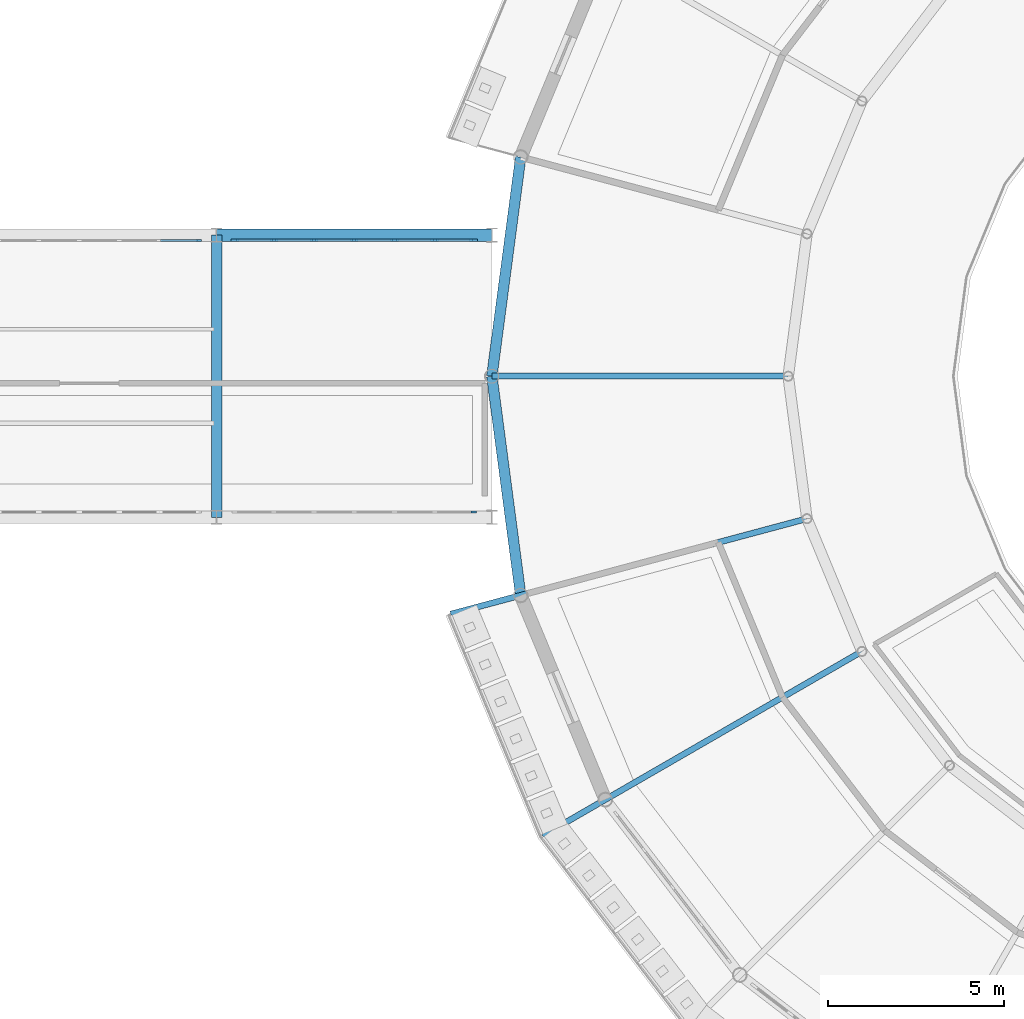
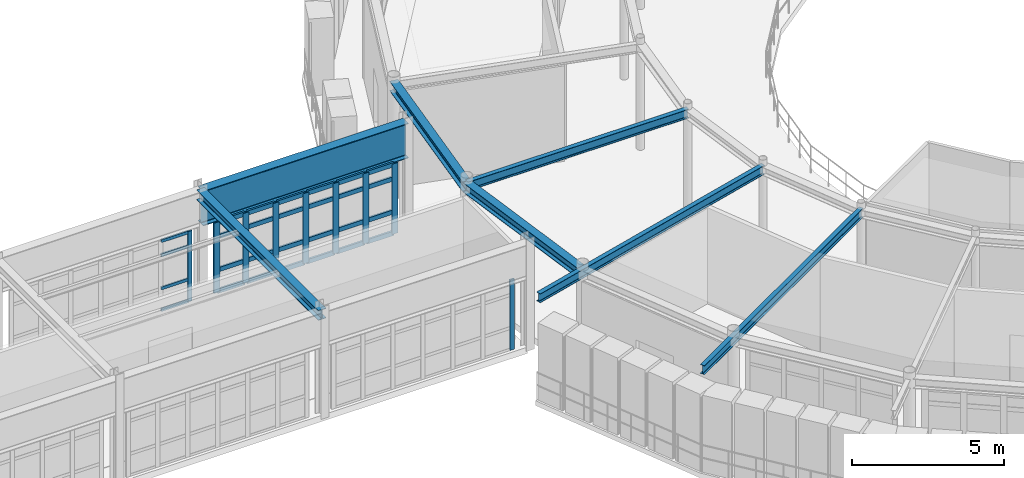
# One storey, part 34 of 106: 37 members, 7 beams, 3 elements without a shape of their own.
"""IFC4 building model written with IfcOpenShell, lengths in metres."""

from ifc_helpers import new_model, si_unit, derived_unit, direction, frame, origin, origin_2d, place, context, subcontext, project, spatial, rectangle, i_section, extrude, material, layer, layer_set, material_profile, profile_set, type_object, element, aggregate, save


model = new_model("IFC4")

# Units and contexts
model_context = context("Model", 3, precision=1e-05, world=origin(), true_north=direction((0.0, 1.0)))
body_context = subcontext(model_context, "Body", "Model", "MODEL_VIEW")
ifc_project = project(units=[si_unit("LENGTHUNIT", "METRE"), si_unit("AREAUNIT", "SQUARE_METRE"), si_unit("VOLUMEUNIT", "CUBIC_METRE"), si_unit("PLANEANGLEUNIT", "RADIAN"), si_unit("MASSUNIT", "GRAM", prefix="KILO"), derived_unit("THERMALTRANSMITTANCEUNIT", [(si_unit("POWERUNIT", "WATT"), 1), (si_unit("AREAUNIT", "SQUARE_METRE"), -1), (si_unit("THERMODYNAMICTEMPERATUREUNIT", "KELVIN"), -1)])], contexts=[model_context])

# Site, building, storey
site_placement = place(None, origin())
site = spatial("IfcSite", under=ifc_project, at=site_placement, CompositionType="ELEMENT")
building_placement = place(site_placement, origin())
building = spatial("IfcBuilding", under=site, at=building_placement, Name="Yasenodar Specialist Clinic", CompositionType="ELEMENT")
storey_placement = place(building_placement, frame((0.0, 0.0, 4.5)))
storey = spatial("IfcBuildingStorey", under=building, at=storey_placement, Name="L01", CompositionType="ELEMENT", Elevation=4.5)

# Beams
ifc_material_1 = material(Name="Steel S355", Category="steel")
ifc_material_profile_1 = material_profile(ifc_material_1, i_section(OverallWidth=0.300048828125, OverallDepth=0.389892578125, WebThickness=0.010986328125, FlangeThickness=0.01904296875, FilletRadius=0.027099609375, at=origin_2d()), Name="HEA 400")
ifc_profile_set_1 = profile_set([ifc_material_profile_1], Name="Steel S355")
beam_type_1 = type_object("IfcBeamType", Name="BM-HEA400", PredefinedType="BEAM", material=ifc_profile_set_1)
for number, where, z_axis, x_axis, name in (
    (1, (57.81787109375, 65.01171875, 4.054931640625), (-0.130540192224, -0.991443018138, 0.0), (0.991443018138, -0.130540192224, 0.0), "L01 Drum V1 Perimeter Ring Beam"),
    (2, (57.0, 58.800048828125, 4.054931640625), (0.130540192224, -0.991443018138, 0.0), (0.991443018138, 0.130540192224, 0.0), "L01 Drum V1 Perimeter Ring Beam"),
):
    element("IfcBeam", number, at=place(storey_placement, frame(where, z_axis=z_axis, x_axis=x_axis)), inside=storey, type_object=beam_type_1, Name=name, PredefinedType="BEAM", context=body_context, shape_type="SweptSolid", body=[
        extrude(i_section(OverallWidth=0.300048828125, OverallDepth=0.389892578125, WebThickness=0.010986328125, FlangeThickness=0.01904296875, FilletRadius=0.027099609375, at=origin_2d()), origin(), (0.0, 0.0, 1.0), 6.265380859375),
    ])
ifc_material_profile_2 = material_profile(ifc_material_1, i_section(OverallWidth=0.300048828125, OverallDepth=0.39990234375, WebThickness=0.013427734375, FlangeThickness=0.02392578125, FilletRadius=0.027099609375, at=origin_2d()), Name="HEB 400")
ifc_profile_set_2 = profile_set([ifc_material_profile_2], Name="Steel S355")
beam_type_2 = type_object("IfcBeamType", Name="BM-HEB400", PredefinedType="BEAM", material=ifc_profile_set_2)
beam_1_placement = place(storey_placement, frame((49.199951171875, 54.800048828125, 4.050048828125), z_axis=(0.0, 1.0, 0.0), x_axis=(-1.0, 0.0, 0.0)))
element("IfcBeam", 3, at=beam_1_placement, inside=storey, type_object=beam_type_2, Name="L01 Primary N-S Girder", PredefinedType="BEAM", context=body_context, shape_type="SweptSolid", body=[
    extrude(i_section(OverallWidth=0.300048828125, OverallDepth=0.39990234375, WebThickness=0.013427734375, FlangeThickness=0.02392578125, FilletRadius=0.027099609375, at=origin_2d()), origin(), (0.0, 0.0, 1.0), 8.0),
])
ifc_material_profile_3 = material_profile(ifc_material_1, i_section(OverallWidth=0.169921875, OverallDepth=0.360107421875, WebThickness=0.008056640625, FlangeThickness=0.0126953125, FilletRadius=0.01806640625, at=origin_2d()), Name="IPE 360")
ifc_profile_set_3 = profile_set([ifc_material_profile_3], Name="Steel S355")
beam_type_3 = type_object("IfcBeamType", Name="BM-IPE360", PredefinedType="BEAM", material=ifc_profile_set_3)
beam_2_placement = place(storey_placement, frame((65.39990234375, 58.800048828125, 4.070068359375), z_axis=(-1.0, 0.0, 0.0), x_axis=(0.0, -1.0, 0.0)))
element("IfcBeam", 4, at=beam_2_placement, inside=storey, type_object=beam_type_3, Name="L01 Drum V1 Radial Beam", PredefinedType="BEAM", context=body_context, shape_type="SweptSolid", body=[
    extrude(i_section(OverallWidth=0.169921875, OverallDepth=0.360107421875, WebThickness=0.008056640625, FlangeThickness=0.0126953125, FilletRadius=0.01806640625, at=origin_2d()), origin(), (0.0, 0.0, 1.0), 8.39990234375),
])
beam_3_placement = place(storey_placement, frame((65.931640625, 54.762451171875, 4.070068359375), z_axis=(-0.965927925162, -0.258811211874, 0.0), x_axis=(0.258811211874, -0.965927925162, 0.0)))
element("IfcBeam", 5, at=beam_3_placement, inside=storey, type_object=beam_type_3, Name="L01 Drum V1 Radial Back-Spanned Cantilever Beam", PredefinedType="BEAM", context=body_context, shape_type="SweptSolid", body=[
    extrude(i_section(OverallWidth=0.169921875, OverallDepth=0.360107421875, WebThickness=0.008056640625, FlangeThickness=0.0126953125, FilletRadius=0.01806640625, at=origin_2d()), origin(), (0.0, 0.0, 1.0), 10.449951171875),
])
beam_4_placement = place(storey_placement, frame((67.489990234375, 51.0, 4.070068359375), z_axis=(-0.86602335148, -0.500003554679, 0.0), x_axis=(0.500003554679, -0.86602335148, 0.0)))
element("IfcBeam", 6, at=beam_4_placement, inside=storey, type_object=beam_type_3, Name="L01 Drum V1 Radial Back-Spanned Cantilever Beam", PredefinedType="BEAM", context=body_context, shape_type="SweptSolid", body=[
    extrude(i_section(OverallWidth=0.169921875, OverallDepth=0.360107421875, WebThickness=0.008056640625, FlangeThickness=0.0126953125, FilletRadius=0.01806640625, at=origin_2d()), origin(), (0.0, 0.0, 1.0), 10.4501953125),
])
ifc_material_profile_4 = material_profile(ifc_material_1, i_section(OverallWidth=0.35009765625, OverallDepth=1.39990234375, WebThickness=0.01611328125, FlangeThickness=0.028076171875, FilletRadius=0.02392578125, at=origin_2d()), Name="PG 1400x350")
ifc_profile_set_4 = profile_set([ifc_material_profile_4], Name="Steel S355")
beam_type_4 = type_object("IfcBeamType", Name="BM-PG-1400", PredefinedType="BEAM", material=ifc_profile_set_4)
beam_5_placement = place(storey_placement, frame((49.199951171875, 62.800048828125, 3.550048828125), z_axis=(1.0, 0.0, 0.0), x_axis=(0.0, 1.0, 0.0)))
element("IfcBeam", 7, at=beam_5_placement, inside=storey, type_object=beam_type_4, Name="L01 Light Bridge Plate Girder", PredefinedType="BEAM", context=body_context, shape_type="SweptSolid", body=[
    extrude(i_section(OverallWidth=0.35009765625, OverallDepth=1.39990234375, WebThickness=0.01611328125, FlangeThickness=0.028076171875, FilletRadius=0.02392578125, at=origin_2d()), origin(), (0.0, 0.0, 1.0), 7.800048828125),
])

# Curtain wall, member
ifc_material_2 = material(Name="Bronze Anodized Aluminium and Triple Low-E Glass", Category="aluminium")
ifc_layer = layer(ifc_material_2, 0.19091796875)
ifc_layer_set = layer_set([ifc_layer], Name="Bronze Anodized Aluminium and Triple Low-E Glass")
curtain_wall_type = type_object("IfcCurtainWallType", Name="CW-SYS-03", PredefinedType="USERDEFINED", material=ifc_layer_set)
curtain_wall_1_placement = place(storey_placement, origin())
curtain_wall_1 = element("IfcCurtainWall", 8, at=curtain_wall_1_placement, inside=storey, type_object=curtain_wall_type, Name="L01 Unitised Curtain Wall 103", ObjectType="UNITISED CURTAIN WALL", PredefinedType="USERDEFINED")
ifc_material_3 = material(Name="Bronze Anodized Aluminium", Category="aluminium")
ifc_material_profile_5 = material_profile(ifc_material_3, rectangle(XDim=0.06005859375, YDim=0.159912109375, at=origin_2d()), Name="CW-MULL 60x160")
ifc_profile_set_5 = profile_set([ifc_material_profile_5], Name="Bronze Anodized Aluminium")
member_type_1 = type_object("IfcMemberType", Name="CW-MULL-160", PredefinedType="MULLION", material=ifc_profile_set_5)
member_1_placement = place(storey_placement, frame((48.68994140625, 62.64990234375, 0.0), z_axis=(0.0, 0.0, 1.0), x_axis=(0.0, 1.0, 0.0)))
member_1 = element("IfcMember", 9, at=member_1_placement, type_object=member_type_1, Name="CW-03 mullion 7", PredefinedType="MULLION", context=body_context, shape_type="SweptSolid", body=[
    extrude(rectangle(XDim=0.06005859375, YDim=0.159912109375, at=origin_2d()), origin(), (0.0, 0.0, 1.0), 2.827880859375),
])

curtain_wall_2_placement = place(storey_placement, origin())
curtain_wall_2 = element("IfcCurtainWall", 10, at=curtain_wall_2_placement, inside=storey, type_object=curtain_wall_type, Name="L01 Unitised Curtain Wall 106", ObjectType="UNITISED CURTAIN WALL", PredefinedType="USERDEFINED")
member_2_placement = place(storey_placement, frame((56.489990234375, 54.949951171875, 0.0), z_axis=(0.0, 0.0, 1.0), x_axis=(0.0, -1.0, 0.0)))
member_2 = element("IfcMember", 11, at=member_2_placement, type_object=member_type_1, Name="CW-03 mullion 1", PredefinedType="MULLION", context=body_context, shape_type="SweptSolid", body=[
    extrude(rectangle(XDim=0.06005859375, YDim=0.159912109375, at=origin_2d()), origin(), (0.0, 0.0, 1.0), 2.827880859375),
])
aggregate(curtain_wall_2, [member_2])

# Curtain wall, members
curtain_wall_3_placement = place(storey_placement, origin())
curtain_wall_3 = element("IfcCurtainWall", 12, at=curtain_wall_3_placement, inside=storey, type_object=curtain_wall_type, Name="L01 Unitised Curtain Wall 105", ObjectType="UNITISED CURTAIN WALL", PredefinedType="USERDEFINED")
ifc_material_profile_6 = material_profile(ifc_material_3, rectangle(XDim=0.074951171875, YDim=0.22509765625, at=origin_2d()), Name="CW-MULL 75x225")
ifc_profile_set_6 = profile_set([ifc_material_profile_6], Name="Bronze Anodized Aluminium")
member_type_2 = type_object("IfcMemberType", Name="CW-MULL-225", PredefinedType="MULLION", material=ifc_profile_set_6)
member_3_placement = place(storey_placement, frame((49.717529296875, 62.64990234375, 0.0), z_axis=(0.0, 0.0, 1.0), x_axis=(0.0, 1.0, 0.0)))
member_3 = element("IfcMember", 13, at=member_3_placement, type_object=member_type_2, Name="CW-03 mullion 1", PredefinedType="MULLION", context=body_context, shape_type="SweptSolid", body=[
    extrude(rectangle(XDim=0.074951171875, YDim=0.22509765625, at=origin_2d()), origin(), (0.0, 0.0, 1.0), 2.827880859375),
])
member_4_placement = place(storey_placement, frame((50.820068359375, 62.64990234375, 0.0), z_axis=(0.0, 0.0, 1.0), x_axis=(0.0, 1.0, 0.0)))
member_4 = element("IfcMember", 14, at=member_4_placement, type_object=member_type_2, Name="CW-03 mullion 2", PredefinedType="MULLION", context=body_context, shape_type="SweptSolid", body=[
    extrude(rectangle(XDim=0.074951171875, YDim=0.22509765625, at=origin_2d()), origin(), (0.0, 0.0, 1.0), 2.827880859375),
])
member_5_placement = place(storey_placement, frame((51.9599609375, 62.64990234375, 0.0), z_axis=(0.0, 0.0, 1.0), x_axis=(0.0, 1.0, 0.0)))
member_5 = element("IfcMember", 15, at=member_5_placement, type_object=member_type_2, Name="CW-03 mullion 3", PredefinedType="MULLION", context=body_context, shape_type="SweptSolid", body=[
    extrude(rectangle(XDim=0.074951171875, YDim=0.22509765625, at=origin_2d()), origin(), (0.0, 0.0, 1.0), 2.827880859375),
])
member_6_placement = place(storey_placement, frame((53.10009765625, 62.64990234375, 0.0), z_axis=(0.0, 0.0, 1.0), x_axis=(0.0, 1.0, 0.0)))
member_6 = element("IfcMember", 16, at=member_6_placement, type_object=member_type_2, Name="CW-03 mullion 4", PredefinedType="MULLION", context=body_context, shape_type="SweptSolid", body=[
    extrude(rectangle(XDim=0.074951171875, YDim=0.22509765625, at=origin_2d()), origin(), (0.0, 0.0, 1.0), 2.827880859375),
])
member_7_placement = place(storey_placement, frame((54.239990234375, 62.64990234375, 0.0), z_axis=(0.0, 0.0, 1.0), x_axis=(0.0, 1.0, 0.0)))
member_7 = element("IfcMember", 17, at=member_7_placement, type_object=member_type_2, Name="CW-03 mullion 5", PredefinedType="MULLION", context=body_context, shape_type="SweptSolid", body=[
    extrude(rectangle(XDim=0.074951171875, YDim=0.22509765625, at=origin_2d()), origin(), (0.0, 0.0, 1.0), 2.827880859375),
])
member_8_placement = place(storey_placement, frame((55.3798828125, 62.64990234375, 0.0), z_axis=(0.0, 0.0, 1.0), x_axis=(0.0, 1.0, 0.0)))
member_8 = element("IfcMember", 18, at=member_8_placement, type_object=member_type_2, Name="CW-03 mullion 6", PredefinedType="MULLION", context=body_context, shape_type="SweptSolid", body=[
    extrude(rectangle(XDim=0.074951171875, YDim=0.22509765625, at=origin_2d()), origin(), (0.0, 0.0, 1.0), 2.827880859375),
])
member_9_placement = place(storey_placement, frame((56.482421875, 62.64990234375, 0.0), z_axis=(0.0, 0.0, 1.0), x_axis=(0.0, 1.0, 0.0)))
member_9 = element("IfcMember", 19, at=member_9_placement, type_object=member_type_2, Name="CW-03 mullion 7", PredefinedType="MULLION", context=body_context, shape_type="SweptSolid", body=[
    extrude(rectangle(XDim=0.074951171875, YDim=0.22509765625, at=origin_2d()), origin(), (0.0, 0.0, 1.0), 2.827880859375),
])

# Member
ifc_material_profile_7 = material_profile(ifc_material_3, rectangle(XDim=0.06005859375, YDim=0.1201171875, at=origin_2d()), Name="CW-TRAN 60x120")
ifc_profile_set_7 = profile_set([ifc_material_profile_7], Name="Bronze Anodized Aluminium")
member_type_3 = type_object("IfcMemberType", Name="CW-TRAN-120", PredefinedType="USERDEFINED", material=ifc_profile_set_7)
member_10_placement = place(storey_placement, frame((47.610107421875, 62.64990234375, 0.030029296875), z_axis=(1.0, 0.0, 0.0), x_axis=(0.0, 1.0, 0.0)))
member_10 = element("IfcMember", 20, at=member_10_placement, type_object=member_type_3, Name="CW-03 transom 6.1", ObjectType="TRANSOM", PredefinedType="USERDEFINED", context=body_context, shape_type="SweptSolid", body=[
    extrude(rectangle(XDim=0.06005859375, YDim=0.1201171875, at=origin_2d()), origin(), (0.0, 0.0, 1.0), 1.0498046875),
])

member_11_placement = place(storey_placement, frame((47.610107421875, 62.64990234375, 0.89990234375), z_axis=(1.0, 0.0, 0.0), x_axis=(0.0, 1.0, 0.0)))
member_11 = element("IfcMember", 21, at=member_11_placement, type_object=member_type_3, Name="CW-03 transom 6.2", ObjectType="TRANSOM", PredefinedType="USERDEFINED", context=body_context, shape_type="SweptSolid", body=[
    extrude(rectangle(XDim=0.06005859375, YDim=0.1201171875, at=origin_2d()), origin(), (0.0, 0.0, 1.0), 1.0498046875),
])

member_12_placement = place(storey_placement, frame((47.610107421875, 62.64990234375, 2.22802734375), z_axis=(1.0, 0.0, 0.0), x_axis=(0.0, 1.0, 0.0)))
member_12 = element("IfcMember", 22, at=member_12_placement, type_object=member_type_3, Name="CW-03 transom 6.3", ObjectType="TRANSOM", PredefinedType="USERDEFINED", context=body_context, shape_type="SweptSolid", body=[
    extrude(rectangle(XDim=0.06005859375, YDim=0.1201171875, at=origin_2d()), origin(), (0.0, 0.0, 1.0), 1.0498046875),
])

member_13_placement = place(storey_placement, frame((47.610107421875, 62.64990234375, 2.798095703125), z_axis=(1.0, 0.0, 0.0), x_axis=(0.0, 1.0, 0.0)))
member_13 = element("IfcMember", 23, at=member_13_placement, type_object=member_type_3, Name="CW-03 transom 6.4", ObjectType="TRANSOM", PredefinedType="USERDEFINED", context=body_context, shape_type="SweptSolid", body=[
    extrude(rectangle(XDim=0.06005859375, YDim=0.1201171875, at=origin_2d()), origin(), (0.0, 0.0, 1.0), 1.0498046875),
])

aggregate(curtain_wall_1, [member_1, member_10, member_11, member_12, member_13])

ifc_material_profile_8 = material_profile(ifc_material_3, rectangle(XDim=0.074951171875, YDim=0.175048828125, at=origin_2d()), Name="CW-TRAN 75x175")
ifc_profile_set_8 = profile_set([ifc_material_profile_8], Name="Bronze Anodized Aluminium")
member_type_4 = type_object("IfcMemberType", Name="CW-TRAN-175", PredefinedType="USERDEFINED", material=ifc_profile_set_8)
member_14_placement = place(storey_placement, frame((49.7548828125, 62.64990234375, 0.03759765625), z_axis=(1.0, 0.0, 0.0), x_axis=(0.0, 1.0, 0.0)))
member_14 = element("IfcMember", 24, at=member_14_placement, type_object=member_type_4, Name="CW-03 transom 1.1", ObjectType="TRANSOM", PredefinedType="USERDEFINED", context=body_context, shape_type="SweptSolid", body=[
    extrude(rectangle(XDim=0.074951171875, YDim=0.175048828125, at=origin_2d()), origin(), (0.0, 0.0, 1.0), 1.027587890625),
])

member_15_placement = place(storey_placement, frame((49.7548828125, 62.64990234375, 0.89990234375), z_axis=(1.0, 0.0, 0.0), x_axis=(0.0, 1.0, 0.0)))
member_15 = element("IfcMember", 25, at=member_15_placement, type_object=member_type_4, Name="CW-03 transom 1.2", ObjectType="TRANSOM", PredefinedType="USERDEFINED", context=body_context, shape_type="SweptSolid", body=[
    extrude(rectangle(XDim=0.074951171875, YDim=0.175048828125, at=origin_2d()), origin(), (0.0, 0.0, 1.0), 1.027587890625),
])

member_16_placement = place(storey_placement, frame((49.7548828125, 62.64990234375, 2.22802734375), z_axis=(1.0, 0.0, 0.0), x_axis=(0.0, 1.0, 0.0)))
member_16 = element("IfcMember", 26, at=member_16_placement, type_object=member_type_4, Name="CW-03 transom 1.3", ObjectType="TRANSOM", PredefinedType="USERDEFINED", context=body_context, shape_type="SweptSolid", body=[
    extrude(rectangle(XDim=0.074951171875, YDim=0.175048828125, at=origin_2d()), origin(), (0.0, 0.0, 1.0), 1.027587890625),
])

member_17_placement = place(storey_placement, frame((49.7548828125, 62.64990234375, 2.79052734375), z_axis=(1.0, 0.0, 0.0), x_axis=(0.0, 1.0, 0.0)))
member_17 = element("IfcMember", 27, at=member_17_placement, type_object=member_type_4, Name="CW-03 transom 1.4", ObjectType="TRANSOM", PredefinedType="USERDEFINED", context=body_context, shape_type="SweptSolid", body=[
    extrude(rectangle(XDim=0.074951171875, YDim=0.175048828125, at=origin_2d()), origin(), (0.0, 0.0, 1.0), 1.027587890625),
])

member_18_placement = place(storey_placement, frame((50.857421875, 62.64990234375, 0.03759765625), z_axis=(1.0, 0.0, 0.0), x_axis=(0.0, 1.0, 0.0)))
member_18 = element("IfcMember", 28, at=member_18_placement, type_object=member_type_4, Name="CW-03 transom 2.1", ObjectType="TRANSOM", PredefinedType="USERDEFINED", context=body_context, shape_type="SweptSolid", body=[
    extrude(rectangle(XDim=0.074951171875, YDim=0.175048828125, at=origin_2d()), origin(), (0.0, 0.0, 1.0), 1.065185546875),
])

member_19_placement = place(storey_placement, frame((50.857421875, 62.64990234375, 0.89990234375), z_axis=(1.0, 0.0, 0.0), x_axis=(0.0, 1.0, 0.0)))
member_19 = element("IfcMember", 29, at=member_19_placement, type_object=member_type_4, Name="CW-03 transom 2.2", ObjectType="TRANSOM", PredefinedType="USERDEFINED", context=body_context, shape_type="SweptSolid", body=[
    extrude(rectangle(XDim=0.074951171875, YDim=0.175048828125, at=origin_2d()), origin(), (0.0, 0.0, 1.0), 1.065185546875),
])

member_20_placement = place(storey_placement, frame((50.857421875, 62.64990234375, 2.22802734375), z_axis=(1.0, 0.0, 0.0), x_axis=(0.0, 1.0, 0.0)))
member_20 = element("IfcMember", 30, at=member_20_placement, type_object=member_type_4, Name="CW-03 transom 2.3", ObjectType="TRANSOM", PredefinedType="USERDEFINED", context=body_context, shape_type="SweptSolid", body=[
    extrude(rectangle(XDim=0.074951171875, YDim=0.175048828125, at=origin_2d()), origin(), (0.0, 0.0, 1.0), 1.065185546875),
])

member_21_placement = place(storey_placement, frame((50.857421875, 62.64990234375, 2.79052734375), z_axis=(1.0, 0.0, 0.0), x_axis=(0.0, 1.0, 0.0)))
member_21 = element("IfcMember", 31, at=member_21_placement, type_object=member_type_4, Name="CW-03 transom 2.4", ObjectType="TRANSOM", PredefinedType="USERDEFINED", context=body_context, shape_type="SweptSolid", body=[
    extrude(rectangle(XDim=0.074951171875, YDim=0.175048828125, at=origin_2d()), origin(), (0.0, 0.0, 1.0), 1.065185546875),
])

member_22_placement = place(storey_placement, frame((51.99755859375, 62.64990234375, 0.03759765625), z_axis=(1.0, 0.0, 0.0), x_axis=(0.0, 1.0, 0.0)))
member_22 = element("IfcMember", 32, at=member_22_placement, type_object=member_type_4, Name="CW-03 transom 3.1", ObjectType="TRANSOM", PredefinedType="USERDEFINED", context=body_context, shape_type="SweptSolid", body=[
    extrude(rectangle(XDim=0.074951171875, YDim=0.175048828125, at=origin_2d()), origin(), (0.0, 0.0, 1.0), 1.06494140625),
])

member_23_placement = place(storey_placement, frame((51.99755859375, 62.64990234375, 0.89990234375), z_axis=(1.0, 0.0, 0.0), x_axis=(0.0, 1.0, 0.0)))
member_23 = element("IfcMember", 33, at=member_23_placement, type_object=member_type_4, Name="CW-03 transom 3.2", ObjectType="TRANSOM", PredefinedType="USERDEFINED", context=body_context, shape_type="SweptSolid", body=[
    extrude(rectangle(XDim=0.074951171875, YDim=0.175048828125, at=origin_2d()), origin(), (0.0, 0.0, 1.0), 1.06494140625),
])

member_24_placement = place(storey_placement, frame((51.99755859375, 62.64990234375, 2.22802734375), z_axis=(1.0, 0.0, 0.0), x_axis=(0.0, 1.0, 0.0)))
member_24 = element("IfcMember", 34, at=member_24_placement, type_object=member_type_4, Name="CW-03 transom 3.3", ObjectType="TRANSOM", PredefinedType="USERDEFINED", context=body_context, shape_type="SweptSolid", body=[
    extrude(rectangle(XDim=0.074951171875, YDim=0.175048828125, at=origin_2d()), origin(), (0.0, 0.0, 1.0), 1.06494140625),
])

member_25_placement = place(storey_placement, frame((51.99755859375, 62.64990234375, 2.79052734375), z_axis=(1.0, 0.0, 0.0), x_axis=(0.0, 1.0, 0.0)))
member_25 = element("IfcMember", 35, at=member_25_placement, type_object=member_type_4, Name="CW-03 transom 3.4", ObjectType="TRANSOM", PredefinedType="USERDEFINED", context=body_context, shape_type="SweptSolid", body=[
    extrude(rectangle(XDim=0.074951171875, YDim=0.175048828125, at=origin_2d()), origin(), (0.0, 0.0, 1.0), 1.06494140625),
])

member_26_placement = place(storey_placement, frame((53.137451171875, 62.64990234375, 0.03759765625), z_axis=(1.0, 0.0, 0.0), x_axis=(0.0, 1.0, 0.0)))
member_26 = element("IfcMember", 36, at=member_26_placement, type_object=member_type_4, Name="CW-03 transom 4.1", ObjectType="TRANSOM", PredefinedType="USERDEFINED", context=body_context, shape_type="SweptSolid", body=[
    extrude(rectangle(XDim=0.074951171875, YDim=0.175048828125, at=origin_2d()), origin(), (0.0, 0.0, 1.0), 1.06494140625),
])

member_27_placement = place(storey_placement, frame((53.137451171875, 62.64990234375, 0.89990234375), z_axis=(1.0, 0.0, 0.0), x_axis=(0.0, 1.0, 0.0)))
member_27 = element("IfcMember", 37, at=member_27_placement, type_object=member_type_4, Name="CW-03 transom 4.2", ObjectType="TRANSOM", PredefinedType="USERDEFINED", context=body_context, shape_type="SweptSolid", body=[
    extrude(rectangle(XDim=0.074951171875, YDim=0.175048828125, at=origin_2d()), origin(), (0.0, 0.0, 1.0), 1.06494140625),
])

member_28_placement = place(storey_placement, frame((53.137451171875, 62.64990234375, 2.22802734375), z_axis=(1.0, 0.0, 0.0), x_axis=(0.0, 1.0, 0.0)))
member_28 = element("IfcMember", 38, at=member_28_placement, type_object=member_type_4, Name="CW-03 transom 4.3", ObjectType="TRANSOM", PredefinedType="USERDEFINED", context=body_context, shape_type="SweptSolid", body=[
    extrude(rectangle(XDim=0.074951171875, YDim=0.175048828125, at=origin_2d()), origin(), (0.0, 0.0, 1.0), 1.06494140625),
])

member_29_placement = place(storey_placement, frame((53.137451171875, 62.64990234375, 2.79052734375), z_axis=(1.0, 0.0, 0.0), x_axis=(0.0, 1.0, 0.0)))
member_29 = element("IfcMember", 39, at=member_29_placement, type_object=member_type_4, Name="CW-03 transom 4.4", ObjectType="TRANSOM", PredefinedType="USERDEFINED", context=body_context, shape_type="SweptSolid", body=[
    extrude(rectangle(XDim=0.074951171875, YDim=0.175048828125, at=origin_2d()), origin(), (0.0, 0.0, 1.0), 1.06494140625),
])

member_30_placement = place(storey_placement, frame((54.277587890625, 62.64990234375, 0.03759765625), z_axis=(1.0, 0.0, 0.0), x_axis=(0.0, 1.0, 0.0)))
member_30 = element("IfcMember", 40, at=member_30_placement, type_object=member_type_4, Name="CW-03 transom 5.1", ObjectType="TRANSOM", PredefinedType="USERDEFINED", context=body_context, shape_type="SweptSolid", body=[
    extrude(rectangle(XDim=0.074951171875, YDim=0.175048828125, at=origin_2d()), origin(), (0.0, 0.0, 1.0), 1.06494140625),
])

member_31_placement = place(storey_placement, frame((54.277587890625, 62.64990234375, 0.89990234375), z_axis=(1.0, 0.0, 0.0), x_axis=(0.0, 1.0, 0.0)))
member_31 = element("IfcMember", 41, at=member_31_placement, type_object=member_type_4, Name="CW-03 transom 5.2", ObjectType="TRANSOM", PredefinedType="USERDEFINED", context=body_context, shape_type="SweptSolid", body=[
    extrude(rectangle(XDim=0.074951171875, YDim=0.175048828125, at=origin_2d()), origin(), (0.0, 0.0, 1.0), 1.06494140625),
])

member_32_placement = place(storey_placement, frame((54.277587890625, 62.64990234375, 2.22802734375), z_axis=(1.0, 0.0, 0.0), x_axis=(0.0, 1.0, 0.0)))
member_32 = element("IfcMember", 42, at=member_32_placement, type_object=member_type_4, Name="CW-03 transom 5.3", ObjectType="TRANSOM", PredefinedType="USERDEFINED", context=body_context, shape_type="SweptSolid", body=[
    extrude(rectangle(XDim=0.074951171875, YDim=0.175048828125, at=origin_2d()), origin(), (0.0, 0.0, 1.0), 1.06494140625),
])

member_33_placement = place(storey_placement, frame((54.277587890625, 62.64990234375, 2.79052734375), z_axis=(1.0, 0.0, 0.0), x_axis=(0.0, 1.0, 0.0)))
member_33 = element("IfcMember", 43, at=member_33_placement, type_object=member_type_4, Name="CW-03 transom 5.4", ObjectType="TRANSOM", PredefinedType="USERDEFINED", context=body_context, shape_type="SweptSolid", body=[
    extrude(rectangle(XDim=0.074951171875, YDim=0.175048828125, at=origin_2d()), origin(), (0.0, 0.0, 1.0), 1.06494140625),
])

member_34_placement = place(storey_placement, frame((55.41748046875, 62.64990234375, 0.03759765625), z_axis=(1.0, 0.0, 0.0), x_axis=(0.0, 1.0, 0.0)))
member_34 = element("IfcMember", 44, at=member_34_placement, type_object=member_type_4, Name="CW-03 transom 6.1", ObjectType="TRANSOM", PredefinedType="USERDEFINED", context=body_context, shape_type="SweptSolid", body=[
    extrude(rectangle(XDim=0.074951171875, YDim=0.175048828125, at=origin_2d()), origin(), (0.0, 0.0, 1.0), 1.027587890625),
])

member_35_placement = place(storey_placement, frame((55.41748046875, 62.64990234375, 0.89990234375), z_axis=(1.0, 0.0, 0.0), x_axis=(0.0, 1.0, 0.0)))
member_35 = element("IfcMember", 45, at=member_35_placement, type_object=member_type_4, Name="CW-03 transom 6.2", ObjectType="TRANSOM", PredefinedType="USERDEFINED", context=body_context, shape_type="SweptSolid", body=[
    extrude(rectangle(XDim=0.074951171875, YDim=0.175048828125, at=origin_2d()), origin(), (0.0, 0.0, 1.0), 1.027587890625),
])

member_36_placement = place(storey_placement, frame((55.41748046875, 62.64990234375, 2.22802734375), z_axis=(1.0, 0.0, 0.0), x_axis=(0.0, 1.0, 0.0)))
member_36 = element("IfcMember", 46, at=member_36_placement, type_object=member_type_4, Name="CW-03 transom 6.3", ObjectType="TRANSOM", PredefinedType="USERDEFINED", context=body_context, shape_type="SweptSolid", body=[
    extrude(rectangle(XDim=0.074951171875, YDim=0.175048828125, at=origin_2d()), origin(), (0.0, 0.0, 1.0), 1.027587890625),
])

member_37_placement = place(storey_placement, frame((55.41748046875, 62.64990234375, 2.79052734375), z_axis=(1.0, 0.0, 0.0), x_axis=(0.0, 1.0, 0.0)))
member_37 = element("IfcMember", 47, at=member_37_placement, type_object=member_type_4, Name="CW-03 transom 6.4", ObjectType="TRANSOM", PredefinedType="USERDEFINED", context=body_context, shape_type="SweptSolid", body=[
    extrude(rectangle(XDim=0.074951171875, YDim=0.175048828125, at=origin_2d()), origin(), (0.0, 0.0, 1.0), 1.027587890625),
])

aggregate(curtain_wall_3, [member_3, member_4, member_5, member_6, member_7, member_8, member_9, member_14, member_15, member_16, member_17, member_18, member_19, member_20, member_21, member_22, member_23, member_24, member_25, member_26, member_27, member_28, member_29, member_30, member_31, member_32, member_33, member_34, member_35, member_36, member_37])

save(model, "model.ifc")
